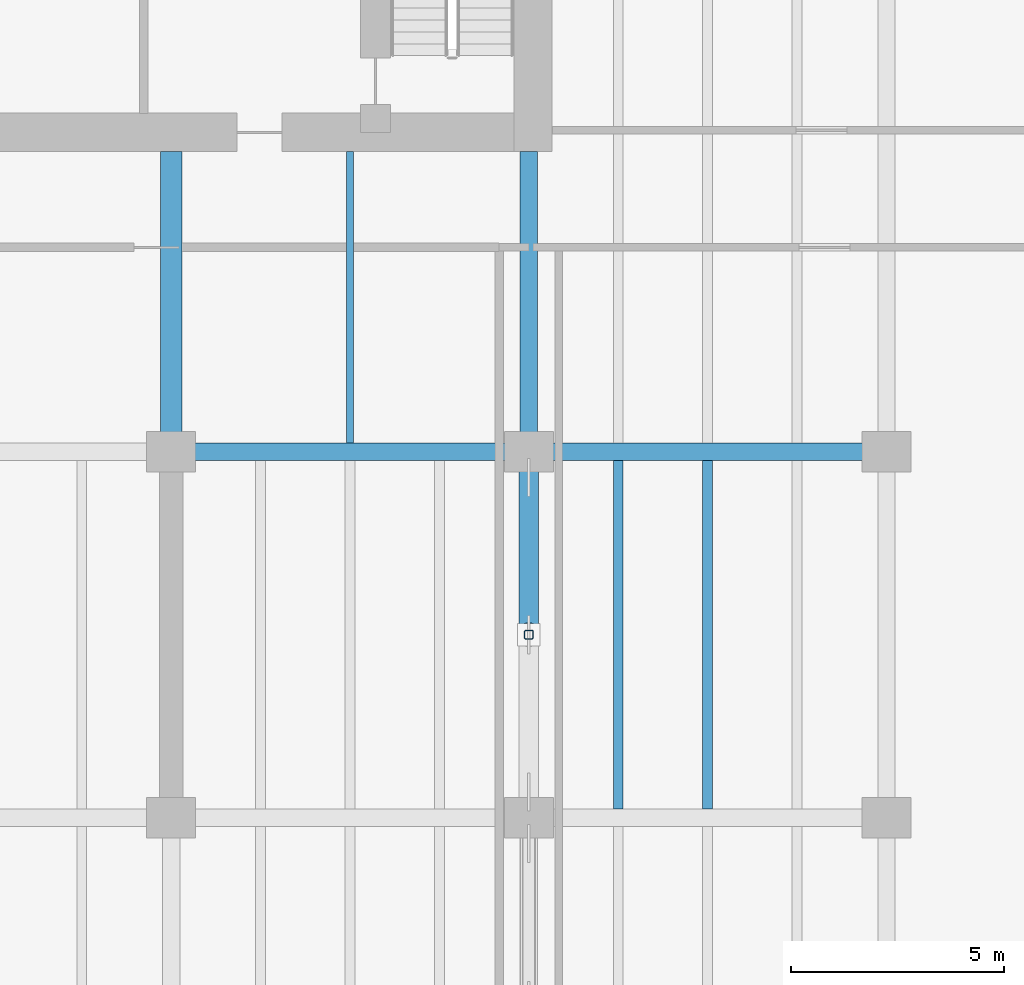
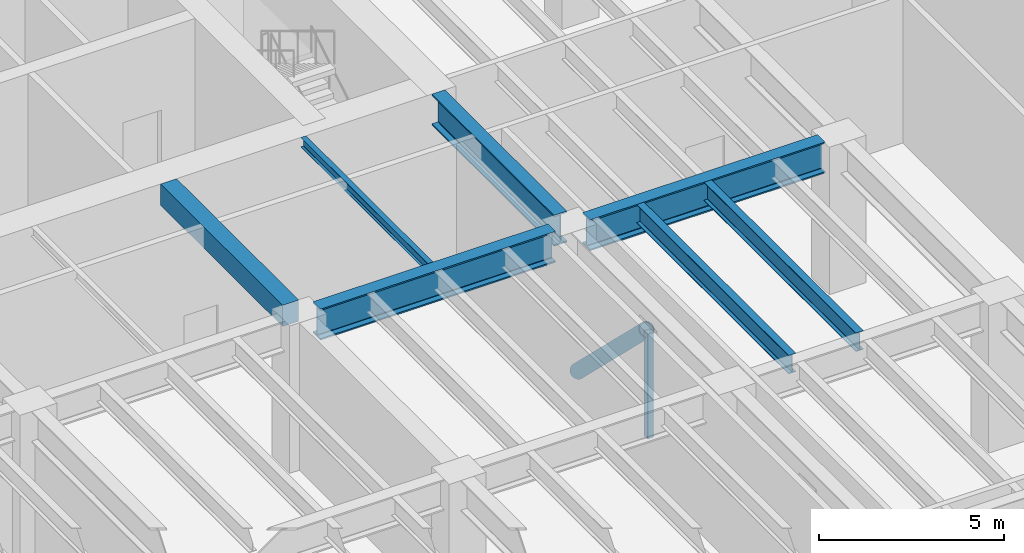
# One storey, part 8 of 21: 7 beams, 2 members.
"""IFC4 building model written with IfcOpenShell, lengths in metres."""

from ifc_helpers import new_model, si_unit, direction, frame, origin, origin_2d, place, context, subcontext, project, spatial, rectangle, hollow_rectangle, hollow_circle, i_section, extrude, material, material_profile, profile_set, type_object, element, save


model = new_model("IFC4")

# Units and contexts
model_context = context("Model", 3, precision=1e-05, world=origin(), true_north=direction((0.0, 1.0)))
body_context = subcontext(model_context, "Body", "Model", "MODEL_VIEW")
ifc_project = project(units=[si_unit("LENGTHUNIT", "METRE"), si_unit("AREAUNIT", "SQUARE_METRE"), si_unit("VOLUMEUNIT", "CUBIC_METRE"), si_unit("PLANEANGLEUNIT", "RADIAN"), si_unit("MASSUNIT", "GRAM", prefix="KILO")], contexts=[model_context])

# Site, building, storey
site_placement = place(None, origin())
site = spatial("IfcSite", under=ifc_project, at=site_placement, CompositionType="ELEMENT")
building_placement = place(site_placement, origin())
building = spatial("IfcBuilding", under=site, at=building_placement, Name="Caelmar Bay Residences", CompositionType="ELEMENT")
storey_placement = place(building_placement, frame((0.0, 0.0, 79.5)))
storey = spatial("IfcBuildingStorey", under=building, at=storey_placement, Name="L21", CompositionType="ELEMENT", Elevation=79.5)

# Beams
ifc_material_1 = material(Name="Steel ASTM A992 Grade 50", Category="steel")
ifc_material_profile_1 = material_profile(ifc_material_1, i_section(OverallWidth=0.404052734375, OverallDepth=1.02099609375, WebThickness=0.025390625, FlangeThickness=0.0458984375, FilletRadius=0.02294921875, at=origin_2d()), Name="W40X324")
ifc_profile_set_1 = profile_set([ifc_material_profile_1], Name="Steel ASTM A992 Grade 50")
beam_type_1 = type_object("IfcBeamType", Name="BM-GRD-W40X324", PredefinedType="BEAM", material=ifc_profile_set_1)
for number, where, z_axis, x_axis, name in (
    (1, (51.639892578125, 29.39990234375, 4.339599609375), (1.0, 0.0, 0.0), (0.0, 1.0, 0.0), "L21 East-West Girder Y=29.40 (51.1-59.5)"),
    (2, (60.0400390625, 29.39990234375, 4.339599609375), (1.0, 0.0, 0.0), (0.0, 1.0, 0.0), "L21 East-West Girder Y=29.40 (59.5-67.9)"),
):
    element("IfcBeam", number, at=place(storey_placement, frame(where, z_axis=z_axis, x_axis=x_axis)), inside=storey, type_object=beam_type_1, Name=name, PredefinedType="BEAM", context=body_context, shape_type="SweptSolid", body=[
        extrude(i_section(OverallWidth=0.404052734375, OverallDepth=1.02099609375, WebThickness=0.025390625, FlangeThickness=0.0458984375, FilletRadius=0.02294921875, at=origin_2d()), origin(), (0.0, 0.0, 1.0), 7.320068359375),
    ])
beam_1_placement = place(storey_placement, frame((59.5, 29.864990234375, 4.339599609375), z_axis=(0.0, 1.0, 0.0), x_axis=(-1.0, 0.0, 0.0)))
element("IfcBeam", 3, at=beam_1_placement, inside=storey, type_object=beam_type_1, Name="L21 Core Tie Girder X=59.50", PredefinedType="BEAM", context=body_context, shape_type="SweptSolid", body=[
    extrude(i_section(OverallWidth=0.404052734375, OverallDepth=1.02099609375, WebThickness=0.025390625, FlangeThickness=0.0458984375, FilletRadius=0.02294921875, at=origin_2d()), origin(), (0.0, 0.0, 1.0), 6.5849609375),
])
ifc_material_profile_2 = material_profile(ifc_material_1, i_section(OverallWidth=0.1650390625, OverallDepth=0.31005859375, WebThickness=0.005859375, FlangeThickness=0.009765625, FilletRadius=0.007568359375, at=origin_2d()), Name="W12X26")
ifc_profile_set_2 = profile_set([ifc_material_profile_2], Name="Steel ASTM A992 Grade 50")
beam_type_2 = type_object("IfcBeamType", Name="BM-JST-W12X26", PredefinedType="JOIST", material=ifc_profile_set_2)
beam_2_placement = place(storey_placement, frame((55.300048828125, 29.60205078125, 4.695068359375), z_axis=(0.0, 1.0, 0.0), x_axis=(-1.0, 0.0, 0.0)))
element("IfcBeam", 4, at=beam_2_placement, inside=storey, type_object=beam_type_2, Name="L21 Core-Band Composite Joist 47", PredefinedType="JOIST", context=body_context, shape_type="SweptSolid", body=[
    extrude(i_section(OverallWidth=0.1650390625, OverallDepth=0.31005859375, WebThickness=0.005859375, FlangeThickness=0.009765625, FilletRadius=0.007568359375, at=origin_2d()), origin(), (0.0, 0.0, 1.0), 6.847900390625),
])
ifc_material_profile_3 = material_profile(ifc_material_1, i_section(OverallWidth=0.22900390625, OverallDepth=0.612060546875, WebThickness=0.011962890625, FlangeThickness=0.01953125, FilletRadius=0.0126953125, at=origin_2d()), Name="W24X84")
ifc_profile_set_3 = profile_set([ifc_material_profile_3], Name="Steel ASTM A992 Grade 50")
beam_type_3 = type_object("IfcBeamType", Name="BM-JST-W24X84", PredefinedType="JOIST", material=ifc_profile_set_3)
for number, where, z_axis, x_axis, name in (
    (5, (61.60009765625, 21.001953125, 4.5439453125), (0.0, 1.0, 0.0), (-1.0, 0.0, 0.0), "L21 Composite Floor Joist 40"),
    (6, (63.699951171875, 21.001953125, 4.5439453125), (0.0, 1.0, 0.0), (-1.0, 0.0, 0.0), "L21 Composite Floor Joist 41"),
):
    element("IfcBeam", number, at=place(storey_placement, frame(where, z_axis=z_axis, x_axis=x_axis)), inside=storey, type_object=beam_type_3, Name=name, PredefinedType="JOIST", context=body_context, shape_type="SweptSolid", body=[
        extrude(i_section(OverallWidth=0.22900390625, OverallDepth=0.612060546875, WebThickness=0.011962890625, FlangeThickness=0.01953125, FilletRadius=0.0126953125, at=origin_2d()), origin(), (0.0, 0.0, 1.0), 8.196044921875),
    ])
ifc_material_2 = material(Name="Concrete f'c 55 MPa (8,000 psi)", Category="concrete")
ifc_material_profile_4 = material_profile(ifc_material_2, rectangle(XDim=0.5, YDim=0.699951171875, at=origin_2d()), Name="RC-BM-500X700")
ifc_profile_set_4 = profile_set([ifc_material_profile_4], Name="Concrete f'c 55 MPa (8,000 psi)")
beam_type_4 = type_object("IfcBeamType", Name="BM-RC-500X700", PredefinedType="LINTEL", material=ifc_profile_set_4)
beam_3_placement = place(storey_placement, frame((51.10009765625, 29.864990234375, 4.5), z_axis=(0.0, 1.0, 0.0), x_axis=(-1.0, 0.0, 0.0)))
element("IfcBeam", 7, at=beam_3_placement, inside=storey, type_object=beam_type_4, Name="L21 Shear-Wall Corridor Coupling Lintel E8", PredefinedType="LINTEL", context=body_context, shape_type="SweptSolid", body=[
    extrude(rectangle(XDim=0.5, YDim=0.699951171875, at=origin_2d()), origin(), (0.0, 0.0, 1.0), 6.5849609375),
])

# Members
ifc_material_3 = material(Name="Steel ASTM A53 Grade B", Category="steel")
ifc_material_profile_5 = material_profile(ifc_material_3, hollow_circle(Radius=0.228515625, WallThickness=0.023681640625, at=origin_2d()), Name="CHS457X25.4")
ifc_profile_set_5 = profile_set([ifc_material_profile_5], Name="Steel ASTM A53 Grade B")
member_type_1 = type_object("IfcMemberType", Name="MEM-OUT-CHS457", PredefinedType="BRACE", material=ifc_profile_set_5)
member_1_placement = place(storey_placement, frame((59.5, 28.93505859375, 0.219970703125), z_axis=(0.0, -0.715825532831, 0.698279175221), x_axis=(1.0, 0.0, 0.0)))
element("IfcMember", 8, at=member_1_placement, inside=storey, type_object=member_type_1, Name="L21 Outrigger Secondary Diagonal 4B", PredefinedType="BRACE", context=body_context, shape_type="SweptSolid", body=[
    extrude(hollow_circle(Radius=0.228515625, WallThickness=0.023681640625, at=origin_2d()), origin(), (0.0, 0.0, 1.0), 5.18994140625),
])
ifc_material_4 = material(Name="Steel ASTM A500 Grade C", Category="steel")
ifc_material_profile_6 = material_profile(ifc_material_4, hollow_rectangle(XDim=0.202880859375, YDim=0.202880859375, WallThickness=0.01171875, InnerFilletRadius=0.01171875, OuterFilletRadius=0.023681640625, at=origin_2d()), Name="HSS200X200X12.7")
ifc_profile_set_6 = profile_set([ifc_material_profile_6], Name="Steel ASTM A500 Grade C")
member_type_2 = type_object("IfcMemberType", Name="MEM-PST-HSS200", PredefinedType="POST", material=ifc_profile_set_6)
member_2_placement = place(storey_placement, frame((59.5, 25.10009765625, 0.39892578125), z_axis=(0.0, 0.0, 1.0), x_axis=(1.0, 0.0, 0.0)))
element("IfcMember", 9, at=member_2_placement, inside=storey, type_object=member_type_2, Name="L21 Outrigger Web Post 4", PredefinedType="POST", context=body_context, shape_type="SweptSolid", body=[
    extrude(hollow_rectangle(XDim=0.202880859375, YDim=0.202880859375, WallThickness=0.01171875, InnerFilletRadius=0.01171875, OuterFilletRadius=0.023681640625, at=origin_2d()), origin(), (0.0, 0.0, 1.0), 3.445068359375),
])

save(model, "model.ifc")
